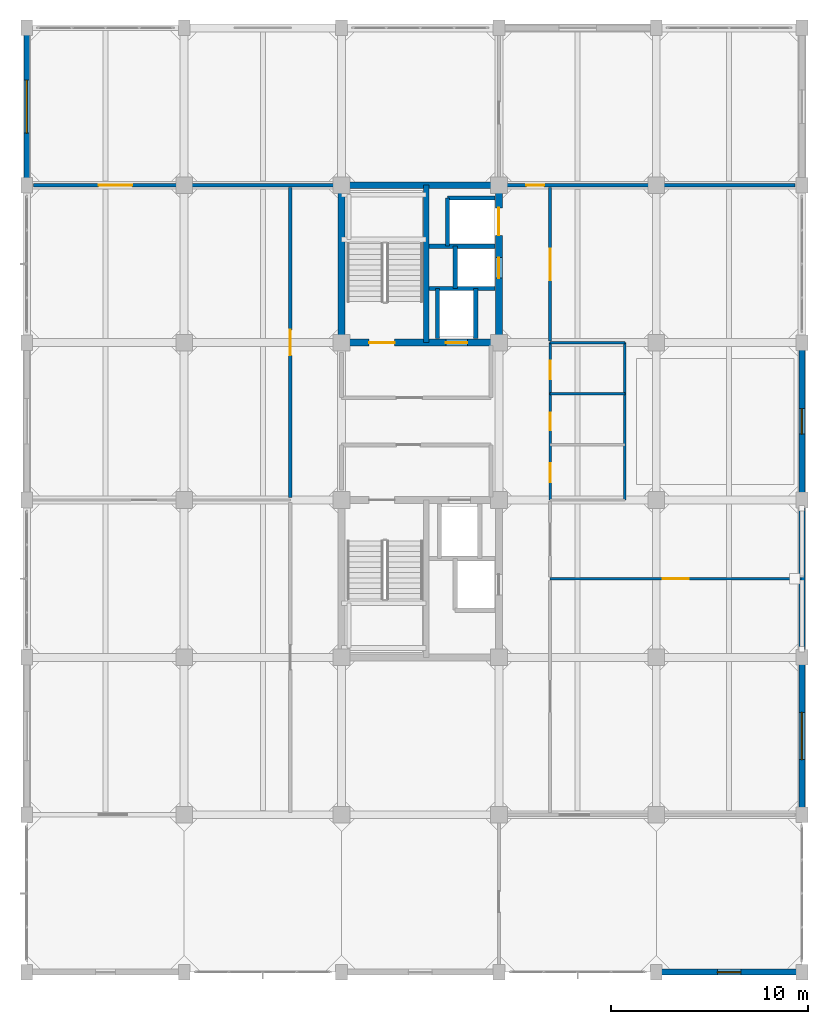
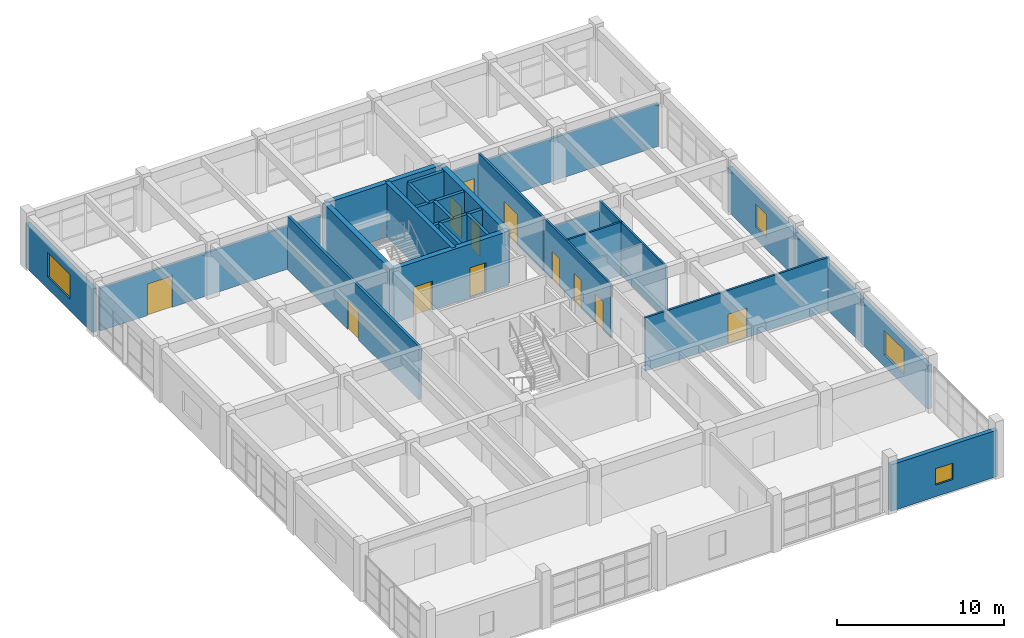
# One storey, part 22 of 27: 26 walls, 12 doors, 4 windows, 16 openings.
"""IFC4 building model written with IfcOpenShell, lengths in metres."""

from ifc_helpers import new_model, si_unit, direction, frame, frame_2d, origin, place, context, subcontext, project, spatial, rectangle, extrude, material, layer, layer_set, type_object, element, fill, save


model = new_model("IFC4")

# Units and contexts
model_context = context("Model", 3, precision=1e-05, world=origin(), true_north=direction((0.0, 1.0)))
body_context = subcontext(model_context, "Body", "Model", "MODEL_VIEW")
ifc_project = project(units=[si_unit("LENGTHUNIT", "METRE"), si_unit("AREAUNIT", "SQUARE_METRE"), si_unit("VOLUMEUNIT", "CUBIC_METRE"), si_unit("PLANEANGLEUNIT", "RADIAN"), si_unit("MASSUNIT", "GRAM", prefix="KILO")], contexts=[model_context])

# Site, building, storey
site_placement = place(None, origin())
site = spatial("IfcSite", under=ifc_project, at=site_placement, CompositionType="ELEMENT")
building_placement = place(site_placement, origin())
building = spatial("IfcBuilding", under=site, at=building_placement, Name="Canggui Botanical Conservatory", CompositionType="ELEMENT")
storey_placement = place(building_placement, frame((0.0, 0.0, 23.39990234375)))
storey = spatial("IfcBuildingStorey", under=building, at=storey_placement, Name="L06", CompositionType="ELEMENT", Elevation=23.39990234375)

# Wall, opening, window
ifc_material_1 = material(Name="Precast Concrete C40", Category="concrete")
ifc_layer_1 = layer(ifc_material_1, 0.300048828125, Name="Precast Concrete C40", Category="concrete")
ifc_layer_set_1 = layer_set([ifc_layer_1], Name="Precast Concrete C40")
wall_type_1 = type_object("IfcWallType", Name="EW-300", PredefinedType="STANDARD", material=ifc_layer_set_1)
wall_1_placement = place(storey_placement, frame((177.39990234375, 26.0, 0.0), z_axis=(0.0, 0.0, 1.0), x_axis=(-1.0, 0.0, 0.0)))
wall_1 = element("IfcWall", 1, at=wall_1_placement, inside=storey, type_object=wall_type_1, Name="Tower Insulated Exterior Wall L06-S1", PredefinedType="STANDARD", context=body_context, shape_type="SweptSolid", body=[
    extrude(rectangle(XDim=7.39990234375, YDim=0.300048828125, at=frame_2d((3.699951171875, 0.0))), origin(), (0.0, 0.0, 1.0), 3.400146484375),
])
opening_1_placement = place(wall_1_placement, frame((3.10009765625, 0.0, 0.85009765625)))
opening_1 = element("IfcOpeningElement", 2, at=opening_1_placement, cuts=wall_1, Name="Opening W-06", PredefinedType="OPENING", context=body_context, shape_type="SweptSolid", body=[
    extrude(rectangle(XDim=1.199951171875, YDim=1.199951171875, at=frame_2d((0.60009765625, 0.60009765625))), frame((0.0, 0.16015625, 0.0), z_axis=(0.0, -1.0, 0.0), x_axis=(1.0, 0.0, 0.0)), (0.0, 0.0, 1.0), 0.320068359375),
])
ifc_material_2 = material(Name="Low-E Insulated Glass", Category="glass")
window_type_1 = type_object("IfcWindowType", Name="WIN-06", PartitioningType="SINGLE_PANEL", PredefinedType="WINDOW", material=ifc_material_2)
window_1_placement = place(opening_1_placement, origin())
window_1 = element("IfcWindow", 3, at=window_1_placement, inside=storey, type_object=window_type_1, Name="Tower Firefighter Rescue Window L06-1", OverallHeight=1.199951171875, OverallWidth=1.199951171875, PartitioningType="SINGLE_PANEL", PredefinedType="WINDOW", context=body_context, shape_type="SweptSolid", body=[
    extrude(rectangle(XDim=1.199951171875, YDim=1.199951171875, at=frame_2d((0.60009765625, 0.60009765625))), frame((0.0, 0.030029296875, 0.0), z_axis=(0.0, -1.0, 0.0), x_axis=(1.0, 0.0, 0.0)), (0.0, 0.0, 1.0), 0.06005859375),
])
fill(opening_1, window_1)

wall_2_placement = place(storey_placement, frame((138.0, 66.0, 0.0), z_axis=(0.0, 0.0, 1.0), x_axis=(0.0, 1.0, 0.0)))
wall_2 = element("IfcWall", 4, at=wall_2_placement, inside=storey, type_object=wall_type_1, Name="Tower Insulated Exterior Wall L06-W11", PredefinedType="STANDARD", context=body_context, shape_type="SweptSolid", body=[
    extrude(rectangle(XDim=8.0, YDim=0.300048828125, at=frame_2d((4.0, 0.0))), origin(), (0.0, 0.0, 1.0), 3.190185546875),
])
opening_2_placement = place(wall_2_placement, frame((2.64990234375, 0.0, 0.85009765625)))
opening_2 = element("IfcOpeningElement", 5, at=opening_2_placement, cuts=wall_2, Name="Opening W-20", PredefinedType="OPENING", context=body_context, shape_type="SweptSolid", body=[
    extrude(rectangle(XDim=2.699951171875, YDim=1.800048828125, at=frame_2d((1.35009765625, 0.89990234375))), frame((0.0, 0.16015625, 0.0), z_axis=(0.0, -1.0, 0.0), x_axis=(1.0, 0.0, 0.0)), (0.0, 0.0, 1.0), 0.320068359375),
])
window_type_2 = type_object("IfcWindowType", Name="WIN-20", PartitioningType="TRIPLE_PANEL_VERTICAL", PredefinedType="WINDOW", material=ifc_material_2)
window_2_placement = place(opening_2_placement, origin())
window_2 = element("IfcWindow", 6, at=window_2_placement, inside=storey, type_object=window_type_2, Name="Tower Window L06-11", OverallHeight=1.800048828125, OverallWidth=2.699951171875, PartitioningType="SINGLE_PANEL", PredefinedType="WINDOW", context=body_context, shape_type="SweptSolid", body=[
    extrude(rectangle(XDim=2.699951171875, YDim=1.800048828125, at=frame_2d((1.35009765625, 0.89990234375))), frame((0.0, 0.030029296875, 0.0), z_axis=(0.0, -1.0, 0.0), x_axis=(1.0, 0.0, 0.0)), (0.0, 0.0, 1.0), 0.06005859375),
])
fill(opening_2, window_2)

wall_3_placement = place(storey_placement, frame((177.39990234375, 58.0, 0.0), z_axis=(0.0, 0.0, 1.0), x_axis=(0.0, -1.0, 0.0)))
wall_3 = element("IfcWall", 7, at=wall_3_placement, inside=storey, type_object=wall_type_1, Name="Tower Insulated Exterior Wall L06-E19", PredefinedType="STANDARD", context=body_context, shape_type="SweptSolid", body=[
    extrude(rectangle(XDim=8.0, YDim=0.300048828125, at=frame_2d((4.0, 0.0))), origin(), (0.0, 0.0, 1.0), 3.190185546875),
])
opening_3_placement = place(wall_3_placement, frame((3.35009765625, 0.0, 0.85009765625)))
opening_3 = element("IfcOpeningElement", 8, at=opening_3_placement, cuts=wall_3, Name="Opening W-24", PredefinedType="OPENING", context=body_context, shape_type="SweptSolid", body=[
    extrude(rectangle(XDim=1.300048828125, YDim=1.699951171875, at=frame_2d((0.64990234375, 0.85009765625))), frame((0.0, 0.16015625, 0.0), z_axis=(0.0, -1.0, 0.0), x_axis=(1.0, 0.0, 0.0)), (0.0, 0.0, 1.0), 0.320068359375),
])
window_type_3 = type_object("IfcWindowType", Name="WIN-24", PartitioningType="SINGLE_PANEL", PredefinedType="WINDOW", material=ifc_material_2)
window_3_placement = place(opening_3_placement, origin())
window_3 = element("IfcWindow", 9, at=window_3_placement, inside=storey, type_object=window_type_3, Name="Tower Window L06-19", OverallHeight=1.699951171875, OverallWidth=1.300048828125, PartitioningType="SINGLE_PANEL", PredefinedType="WINDOW", context=body_context, shape_type="SweptSolid", body=[
    extrude(rectangle(XDim=1.300048828125, YDim=1.699951171875, at=frame_2d((0.64990234375, 0.85009765625))), frame((0.0, 0.030029296875, 0.0), z_axis=(0.0, -1.0, 0.0), x_axis=(1.0, 0.0, 0.0)), (0.0, 0.0, 1.0), 0.06005859375),
])
fill(opening_3, window_3)

# Wall
wall_4_placement = place(storey_placement, frame((177.39990234375, 50.0, 0.0), z_axis=(0.0, 0.0, 1.0), x_axis=(0.0, -1.0, 0.0)))
element("IfcWall", 10, at=wall_4_placement, inside=storey, type_object=wall_type_1, Name="Tower Insulated Exterior Wall L06-E20", PredefinedType="STANDARD", context=body_context, shape_type="SweptSolid", body=[
    extrude(rectangle(XDim=8.0, YDim=0.300048828125, at=frame_2d((4.0, 0.0))), origin(), (0.0, 0.0, 1.0), 3.190185546875),
])

# Wall, opening, window
wall_5_placement = place(storey_placement, frame((177.39990234375, 42.0, 0.0), z_axis=(0.0, 0.0, 1.0), x_axis=(0.0, -1.0, 0.0)))
wall_5 = element("IfcWall", 11, at=wall_5_placement, inside=storey, type_object=wall_type_1, Name="Tower Insulated Exterior Wall L06-E21", PredefinedType="STANDARD", context=body_context, shape_type="SweptSolid", body=[
    extrude(rectangle(XDim=8.0, YDim=0.300048828125, at=frame_2d((4.0, 0.0))), origin(), (0.0, 0.0, 1.0), 3.190185546875),
])
opening_4_placement = place(wall_5_placement, frame((2.800048828125, 0.0, 0.85009765625)))
opening_4 = element("IfcOpeningElement", 12, at=opening_4_placement, cuts=wall_5, Name="Opening W-01", PredefinedType="OPENING", context=body_context, shape_type="SweptSolid", body=[
    extrude(rectangle(XDim=2.39990234375, YDim=1.800048828125, at=frame_2d((1.199951171875, 0.89990234375))), frame((0.0, 0.16015625, 0.0), z_axis=(0.0, -1.0, 0.0), x_axis=(1.0, 0.0, 0.0)), (0.0, 0.0, 1.0), 0.320068359375),
])
window_type_4 = type_object("IfcWindowType", Name="WIN-01", PartitioningType="DOUBLE_PANEL_VERTICAL", PredefinedType="WINDOW", material=ifc_material_2)
window_4_placement = place(opening_4_placement, origin())
window_4 = element("IfcWindow", 13, at=window_4_placement, inside=storey, type_object=window_type_4, Name="Tower Window L06-21", OverallHeight=1.800048828125, OverallWidth=2.39990234375, PartitioningType="SINGLE_PANEL", PredefinedType="WINDOW", context=body_context, shape_type="SweptSolid", body=[
    extrude(rectangle(XDim=2.39990234375, YDim=1.800048828125, at=frame_2d((1.199951171875, 0.89990234375))), frame((0.0, 0.030029296875, 0.0), z_axis=(0.0, -1.0, 0.0), x_axis=(1.0, 0.0, 0.0)), (0.0, 0.0, 1.0), 0.06005859375),
])
fill(opening_4, window_4)

# Wall, opening, door
ifc_material_3 = material(Name="Gypsum Plasterboard Partition")
ifc_layer_2 = layer(ifc_material_3, 0.175048828125, Name="Gypsum Plasterboard Partition")
ifc_layer_set_2 = layer_set([ifc_layer_2], Name="Gypsum Plasterboard Partition")
wall_type_2 = type_object("IfcWallType", Name="IW-CORR-175", PredefinedType="STANDARD", material=ifc_layer_set_2)
wall_6_placement = place(storey_placement, frame((151.39990234375, 50.1201171875, 0.0), z_axis=(0.0, 0.0, 1.0), x_axis=(0.0, 1.0, 0.0)))
wall_6 = element("IfcWall", 14, at=wall_6_placement, inside=storey, type_object=wall_type_2, Name="L06 Bioinformatics Computing Studio Corridor Wall", PredefinedType="STANDARD", context=body_context, shape_type="SweptSolid", body=[
    extrude(rectangle(XDim=15.759765625, YDim=0.175048828125, at=frame_2d((7.8798828125, 0.0))), origin(), (0.0, 0.0, 1.0), 3.900146484375),
])
opening_5_placement = place(wall_6_placement, frame((7.22998046875, 0.0, 0.0)))
opening_5 = element("IfcOpeningElement", 15, at=opening_5_placement, cuts=wall_6, Name="Opening FD-09", PredefinedType="OPENING", context=body_context, shape_type="SweptSolid", body=[
    extrude(rectangle(XDim=1.300048828125, YDim=2.14990234375, at=frame_2d((0.64990234375, 1.074951171875))), frame((0.0, 0.09765625, 0.0), z_axis=(0.0, -1.0, 0.0), x_axis=(1.0, 0.0, 0.0)), (0.0, 0.0, 1.0), 0.195068359375),
])
ifc_material_4 = material(Name="Powder-Coated Steel", Category="steel")
door_type_1 = type_object("IfcDoorType", Name="FD-09", OperationType="NOTDEFINED", PredefinedType="DOOR", material=ifc_material_4)
door_1_placement = place(opening_5_placement, origin())
door_1 = element("IfcDoor", 16, at=door_1_placement, inside=storey, type_object=door_type_1, Name="L06 Bioinformatics Computing Studio Entrance Door", OperationType="SINGLE_SWING_RIGHT", OverallHeight=2.14990234375, OverallWidth=1.300048828125, PredefinedType="DOOR", context=body_context, shape_type="SweptSolid", body=[
    extrude(rectangle(XDim=1.300048828125, YDim=2.14990234375, at=frame_2d((0.64990234375, 1.074951171875))), frame((0.0, 0.02490234375, 0.0), z_axis=(0.0, -1.0, 0.0), x_axis=(1.0, 0.0, 0.0)), (0.0, 0.0, 1.0), 0.050048828125),
])
fill(opening_5, door_1)

wall_7_placement = place(storey_placement, frame((138.35009765625, 66.0, 0.0), z_axis=(0.0, 0.0, 1.0), x_axis=(1.0, 0.0, 0.0)))
wall_7 = element("IfcWall", 17, at=wall_7_placement, inside=storey, type_object=wall_type_2, Name="L06 Phenomics Data Analysis Room North Suite Wall", PredefinedType="STANDARD", context=body_context, shape_type="SweptSolid", body=[
    extrude(rectangle(XDim=15.2998046875, YDim=0.175048828125, at=frame_2d((7.64990234375, 0.0))), origin(), (0.0, 0.0, 1.0), 3.14013671875),
])
opening_6_placement = place(wall_7_placement, frame((3.300048828125, 0.0, 0.0)))
opening_6 = element("IfcOpeningElement", 18, at=opening_6_placement, cuts=wall_7, Name="Opening FD-16", PredefinedType="OPENING", context=body_context, shape_type="SweptSolid", body=[
    extrude(rectangle(XDim=1.699951171875, YDim=2.300048828125, at=frame_2d((0.85009765625, 1.14990234375))), frame((0.0, 0.09765625, 0.0), z_axis=(0.0, -1.0, 0.0), x_axis=(1.0, 0.0, 0.0)), (0.0, 0.0, 1.0), 0.195068359375),
])
door_type_2 = type_object("IfcDoorType", Name="FD-16", OperationType="NOTDEFINED", PredefinedType="DOOR", material=ifc_material_4)
door_2_placement = place(opening_6_placement, origin())
door_2 = element("IfcDoor", 19, at=door_2_placement, inside=storey, type_object=door_type_2, Name="Interior Door IW-L06-NCOR-1", OperationType="DOUBLE_DOOR_SINGLE_SWING", OverallHeight=2.300048828125, OverallWidth=1.699951171875, PredefinedType="DOOR", context=body_context, shape_type="SweptSolid", body=[
    extrude(rectangle(XDim=1.699951171875, YDim=2.300048828125, at=frame_2d((0.85009765625, 1.14990234375))), frame((0.0, 0.02490234375, 0.0), z_axis=(0.0, -1.0, 0.0), x_axis=(1.0, 0.0, 0.0)), (0.0, 0.0, 1.0), 0.050048828125),
])
fill(opening_6, door_2)

wall_8_placement = place(storey_placement, frame((162.35009765625, 66.0, 0.0), z_axis=(0.0, 0.0, 1.0), x_axis=(1.0, 0.0, 0.0)))
wall_8 = element("IfcWall", 20, at=wall_8_placement, inside=storey, type_object=wall_type_2, Name="L06 Research Write-Up Studio North Suite Wall", PredefinedType="STANDARD", context=body_context, shape_type="SweptSolid", body=[
    extrude(rectangle(XDim=14.699951171875, YDim=0.175048828125, at=frame_2d((7.35009765625, 0.0))), origin(), (0.0, 0.0, 1.0), 3.14013671875),
])
opening_7_placement = place(wall_8_placement, frame((1.050048828125, 0.0, 0.0)))
opening_7 = element("IfcOpeningElement", 21, at=opening_7_placement, cuts=wall_8, Name="Opening FD-01", PredefinedType="OPENING", context=body_context, shape_type="SweptSolid", body=[
    extrude(rectangle(XDim=0.89990234375, YDim=2.10009765625, at=frame_2d((0.449951171875, 1.050048828125))), frame((0.0, 0.09765625, 0.0), z_axis=(0.0, -1.0, 0.0), x_axis=(1.0, 0.0, 0.0)), (0.0, 0.0, 1.0), 0.195068359375),
])
door_type_3 = type_object("IfcDoorType", Name="FD-01", OperationType="NOTDEFINED", PredefinedType="DOOR", material=ifc_material_4)
door_3_placement = place(opening_7_placement, origin())
door_3 = element("IfcDoor", 22, at=door_3_placement, inside=storey, type_object=door_type_3, Name="Interior Door IW-L06-NCOR-2", OperationType="SINGLE_SWING_LEFT", OverallHeight=2.10009765625, OverallWidth=0.89990234375, PredefinedType="DOOR", context=body_context, shape_type="SweptSolid", body=[
    extrude(rectangle(XDim=0.89990234375, YDim=2.10009765625, at=frame_2d((0.449951171875, 1.050048828125))), frame((0.0, 0.02490234375, 0.0), z_axis=(0.0, -1.0, 0.0), x_axis=(1.0, 0.0, 0.0)), (0.0, 0.0, 1.0), 0.050048828125),
])
fill(opening_7, door_3)

ifc_layer_3 = layer(ifc_material_3, 0.155029296875, Name="Gypsum Plasterboard Partition")
ifc_layer_set_3 = layer_set([ifc_layer_3], Name="Gypsum Plasterboard Partition")
wall_type_3 = type_object("IfcWallType", Name="IW-LAB-155", PredefinedType="STANDARD", material=ifc_layer_set_3)
wall_9_placement = place(storey_placement, frame((164.60009765625, 58.080078125, 0.0), z_axis=(0.0, 0.0, 1.0), x_axis=(0.0, 1.0, 0.0)))
wall_9 = element("IfcWall", 23, at=wall_9_placement, inside=storey, type_object=wall_type_3, Name="L06 Dry Herbarium Reference Laboratory Lab Wall", PredefinedType="STANDARD", context=body_context, shape_type="SweptSolid", body=[
    extrude(rectangle(XDim=7.7998046875, YDim=0.155029296875, at=frame_2d((3.89990234375, 0.0))), origin(), (0.0, 0.0, 1.0), 3.900146484375),
])
opening_8_placement = place(wall_9_placement, frame((3.10009765625, 0.0, 0.0)))
opening_8 = element("IfcOpeningElement", 24, at=opening_8_placement, cuts=wall_9, Name="Opening FD-15", PredefinedType="OPENING", context=body_context, shape_type="SweptSolid", body=[
    extrude(rectangle(XDim=1.60009765625, YDim=2.25, at=frame_2d((0.800048828125, 1.125))), frame((0.0, 0.08740234375, 0.0), z_axis=(0.0, -1.0, 0.0), x_axis=(1.0, 0.0, 0.0)), (0.0, 0.0, 1.0), 0.175048828125),
])
door_type_4 = type_object("IfcDoorType", Name="FD-15", OperationType="NOTDEFINED", PredefinedType="DOOR", material=ifc_material_4)
door_4_placement = place(opening_8_placement, origin())
door_4 = element("IfcDoor", 25, at=door_4_placement, inside=storey, type_object=door_type_4, Name="Interior Door IW-L06-ECOR-2-2", OperationType="DOUBLE_DOOR_SINGLE_SWING", OverallHeight=2.25, OverallWidth=1.60009765625, PredefinedType="DOOR", context=body_context, shape_type="SweptSolid", body=[
    extrude(rectangle(XDim=1.60009765625, YDim=2.25, at=frame_2d((0.800048828125, 1.125))), frame((0.0, 0.02490234375, 0.0), z_axis=(0.0, -1.0, 0.0), x_axis=(1.0, 0.0, 0.0)), (0.0, 0.0, 1.0), 0.050048828125),
])
fill(opening_8, door_4)

ifc_layer_4 = layer(ifc_material_3, 0.139892578125, Name="Gypsum Plasterboard Partition")
ifc_layer_set_4 = layer_set([ifc_layer_4], Name="Gypsum Plasterboard Partition")
wall_type_4 = type_object("IfcWallType", Name="IW-PART-140", PredefinedType="STANDARD", material=ifc_layer_set_4)
wall_10_placement = place(storey_placement, frame((164.60009765625, 46.0, 0.0), z_axis=(0.0, 0.0, 1.0), x_axis=(1.0, 0.0, 0.0)))
wall_10 = element("IfcWall", 26, at=wall_10_placement, inside=storey, type_object=wall_type_4, Name="L06 Biostatistics Seminar Room Subdivision Wall", PredefinedType="STANDARD", context=body_context, shape_type="SweptSolid", body=[
    extrude(rectangle(XDim=12.760009765625, YDim=0.139892578125, at=frame_2d((6.3798828125, 0.0))), origin(), (0.0, 0.0, 1.0), 3.900146484375),
])
opening_9_placement = place(wall_10_placement, frame((5.719970703125, 0.0, 0.0)))
opening_9 = element("IfcOpeningElement", 27, at=opening_9_placement, cuts=wall_10, Name="Opening ID-10", PredefinedType="OPENING", context=body_context, shape_type="SweptSolid", body=[
    extrude(rectangle(XDim=1.320068359375, YDim=2.159912109375, at=frame_2d((0.66015625, 1.080078125))), frame((0.0, 0.080078125, 0.0), z_axis=(0.0, -1.0, 0.0), x_axis=(1.0, 0.0, 0.0)), (0.0, 0.0, 1.0), 0.159912109375),
])
ifc_material_5 = material(Name="Engineered Timber Veneer", Category="wood")
door_type_5 = type_object("IfcDoorType", Name="ID-10", OperationType="NOTDEFINED", PredefinedType="DOOR", material=ifc_material_5)
door_5_placement = place(opening_9_placement, origin())
door_5 = element("IfcDoor", 28, at=door_5_placement, inside=storey, type_object=door_type_5, Name="Interior Door IW-L06-EDIV-1", OperationType="SINGLE_SWING_RIGHT", OverallHeight=2.159912109375, OverallWidth=1.320068359375, PredefinedType="DOOR", context=body_context, shape_type="SweptSolid", body=[
    extrude(rectangle(XDim=1.320068359375, YDim=2.159912109375, at=frame_2d((0.66015625, 1.080078125))), frame((0.0, 0.02490234375, 0.0), z_axis=(0.0, -1.0, 0.0), x_axis=(1.0, 0.0, 0.0)), (0.0, 0.0, 1.0), 0.050048828125),
])
fill(opening_9, door_5)

# Walls
ifc_material_6 = material(Name="Concrete C35", Category="concrete")
ifc_layer_5 = layer(ifc_material_6, 0.215087890625, Name="Concrete C35", Category="concrete")
ifc_layer_set_5 = layer_set([ifc_layer_5], Name="Concrete C35")
wall_type_5 = type_object("IfcWallType", Name="IW-SHAFT-215", PredefinedType="STANDARD", material=ifc_layer_set_5)
wall_11_placement = place(storey_placement, frame((158.449951171875, 62.89990234375, 0.0), z_axis=(0.0, 0.0, 1.0), x_axis=(1.0, 0.0, 0.0)))
element("IfcWall", 29, at=wall_11_placement, inside=storey, type_object=wall_type_5, Name="Core T2 Goods Lift Shaft Divider L06", PredefinedType="STANDARD", context=body_context, shape_type="SweptSolid", body=[
    extrude(rectangle(XDim=3.35009765625, YDim=0.215087890625, at=frame_2d((1.675048828125, 0.0))), origin(), (0.0, 0.0, 1.0), 3.900146484375),
])
wall_12_placement = place(storey_placement, frame((160.820068359375, 58.199951171875, 0.0), z_axis=(0.0, 0.0, 1.0), x_axis=(0.0, 1.0, 0.0)))
element("IfcWall", 30, at=wall_12_placement, inside=storey, type_object=wall_type_5, Name="Core T2 Lift Bank Web L06", PredefinedType="STANDARD", context=body_context, shape_type="SweptSolid", body=[
    extrude(rectangle(XDim=2.550048828125, YDim=0.215087890625, at=frame_2d((1.27490234375, 0.0))), origin(), (0.0, 0.0, 1.0), 3.900146484375),
])
wall_13_placement = place(storey_placement, frame((159.3798828125, 62.89990234375, 0.0), z_axis=(0.0, 0.0, 1.0), x_axis=(0.0, 1.0, 0.0)))
element("IfcWall", 31, at=wall_13_placement, inside=storey, type_object=wall_type_5, Name="Core T2 GL-01 West Shaft Wall L06", PredefinedType="STANDARD", context=body_context, shape_type="SweptSolid", body=[
    extrude(rectangle(XDim=2.4501953125, YDim=0.215087890625, at=frame_2d((1.22509765625, 0.0))), origin(), (0.0, 0.0, 1.0), 3.900146484375),
])
wall_14_placement = place(storey_placement, frame((159.3798828125, 65.35009765625, 0.0), z_axis=(0.0, 0.0, 1.0), x_axis=(1.0, 0.0, 0.0)))
element("IfcWall", 32, at=wall_14_placement, inside=storey, type_object=wall_type_5, Name="Core T2 GL-01 North Shaft Wall L06", PredefinedType="STANDARD", context=body_context, shape_type="SweptSolid", body=[
    extrude(rectangle(XDim=2.420166015625, YDim=0.215087890625, at=frame_2d((1.2099609375, 0.0))), origin(), (0.0, 0.0, 1.0), 3.900146484375),
])
wall_15_placement = place(storey_placement, frame((158.449951171875, 60.75, 0.0), z_axis=(0.0, 0.0, 1.0), x_axis=(1.0, 0.0, 0.0)))
element("IfcWall", 33, at=wall_15_placement, inside=storey, type_object=wall_type_5, Name="Core T2 PL-02 South Shaft Wall L06", PredefinedType="STANDARD", context=body_context, shape_type="SweptSolid", body=[
    extrude(rectangle(XDim=3.35009765625, YDim=0.215087890625, at=frame_2d((1.675048828125, 0.0))), origin(), (0.0, 0.0, 1.0), 3.900146484375),
])
wall_16_placement = place(storey_placement, frame((159.780029296875, 60.75, 0.0), z_axis=(0.0, 0.0, 1.0), x_axis=(0.0, 1.0, 0.0)))
element("IfcWall", 34, at=wall_16_placement, inside=storey, type_object=wall_type_5, Name="Core T2 PL-02 West Shaft Wall L06", PredefinedType="STANDARD", context=body_context, shape_type="SweptSolid", body=[
    extrude(rectangle(XDim=2.14990234375, YDim=0.215087890625, at=frame_2d((1.074951171875, 0.0))), origin(), (0.0, 0.0, 1.0), 3.900146484375),
])
wall_17_placement = place(storey_placement, frame((158.8798828125, 58.199951171875, 0.0), z_axis=(0.0, 0.0, 1.0), x_axis=(0.0, 1.0, 0.0)))
element("IfcWall", 35, at=wall_17_placement, inside=storey, type_object=wall_type_5, Name="Core T2 FL-02 West Shaft Wall L06", PredefinedType="STANDARD", context=body_context, shape_type="SweptSolid", body=[
    extrude(rectangle(XDim=2.550048828125, YDim=0.215087890625, at=frame_2d((1.27490234375, 0.0))), origin(), (0.0, 0.0, 1.0), 3.900146484375),
])

# Wall, openings, doors
ifc_layer_6 = layer(ifc_material_3, 0.125, Name="Gypsum Plasterboard Partition")
ifc_layer_set_6 = layer_set([ifc_layer_6], Name="Gypsum Plasterboard Partition")
wall_type_6 = type_object("IfcWallType", Name="IW-WC-125", PredefinedType="STANDARD", material=ifc_layer_set_6)
wall_18_placement = place(storey_placement, frame((164.60009765625, 50.0, 0.0), z_axis=(0.0, 0.0, 1.0), x_axis=(0.0, 1.0, 0.0)))
wall_18 = element("IfcWall", 36, at=wall_18_placement, inside=storey, type_object=wall_type_6, Name="L06 Restroom Block Corridor Wall", PredefinedType="STANDARD", context=body_context, shape_type="SweptSolid", body=[
    extrude(rectangle(XDim=8.0, YDim=0.125, at=frame_2d((4.0, 0.0))), origin(), (0.0, 0.0, 1.0), 3.900146484375),
])
opening_10_placement = place(wall_18_placement, frame((0.89990234375, 0.0, 0.0)))
opening_10 = element("IfcOpeningElement", 37, at=opening_10_placement, cuts=wall_18, Name="Opening ID-03", PredefinedType="OPENING", context=body_context, shape_type="SweptSolid", body=[
    extrude(rectangle(XDim=0.9599609375, YDim=2.080078125, at=frame_2d((0.47998046875, 1.0400390625))), frame((0.0, 0.072509765625, 0.0), z_axis=(0.0, -1.0, 0.0), x_axis=(1.0, 0.0, 0.0)), (0.0, 0.0, 1.0), 0.14501953125),
])
opening_11_placement = place(wall_18_placement, frame((3.550048828125, 0.0, 0.0)))
opening_11 = element("IfcOpeningElement", 38, at=opening_11_placement, cuts=wall_18, Name="Opening ID-01", PredefinedType="OPENING", context=body_context, shape_type="SweptSolid", body=[
    extrude(rectangle(XDim=0.8798828125, YDim=2.050048828125, at=frame_2d((0.43994140625, 1.02490234375))), frame((0.0, 0.072509765625, 0.0), z_axis=(0.0, -1.0, 0.0), x_axis=(1.0, 0.0, 0.0)), (0.0, 0.0, 1.0), 0.14501953125),
])
opening_12_placement = place(wall_18_placement, frame((6.14990234375, 0.0, 0.0)))
opening_12 = element("IfcOpeningElement", 39, at=opening_12_placement, cuts=wall_18, Name="Opening ID-02", PredefinedType="OPENING", context=body_context, shape_type="SweptSolid", body=[
    extrude(rectangle(XDim=0.919921875, YDim=2.050048828125, at=frame_2d((0.4599609375, 1.02490234375))), frame((0.0, 0.072509765625, 0.0), z_axis=(0.0, -1.0, 0.0), x_axis=(1.0, 0.0, 0.0)), (0.0, 0.0, 1.0), 0.14501953125),
])
door_type_6 = type_object("IfcDoorType", Name="ID-01", OperationType="NOTDEFINED", PredefinedType="DOOR", material=ifc_material_5)
door_6_placement = place(opening_11_placement, origin())
door_6 = element("IfcDoor", 40, at=door_6_placement, inside=storey, type_object=door_type_6, Name="L06 Male WC Door", OperationType="SINGLE_SWING_RIGHT", OverallHeight=2.050048828125, OverallWidth=0.8798828125, PredefinedType="DOOR", context=body_context, shape_type="SweptSolid", body=[
    extrude(rectangle(XDim=0.8798828125, YDim=2.050048828125, at=frame_2d((0.43994140625, 1.02490234375))), frame((0.0, 0.02490234375, 0.0), z_axis=(0.0, -1.0, 0.0), x_axis=(1.0, 0.0, 0.0)), (0.0, 0.0, 1.0), 0.050048828125),
])
fill(opening_11, door_6)
door_type_7 = type_object("IfcDoorType", Name="ID-02", OperationType="NOTDEFINED", PredefinedType="DOOR", material=ifc_material_5)
door_7_placement = place(opening_12_placement, origin())
door_7 = element("IfcDoor", 41, at=door_7_placement, inside=storey, type_object=door_type_7, Name="L06 Female WC Door", OperationType="SINGLE_SWING_LEFT", OverallHeight=2.050048828125, OverallWidth=0.919921875, PredefinedType="DOOR", context=body_context, shape_type="SweptSolid", body=[
    extrude(rectangle(XDim=0.919921875, YDim=2.050048828125, at=frame_2d((0.4599609375, 1.02490234375))), frame((0.0, 0.02490234375, 0.0), z_axis=(0.0, -1.0, 0.0), x_axis=(1.0, 0.0, 0.0)), (0.0, 0.0, 1.0), 0.050048828125),
])
fill(opening_12, door_7)
door_type_8 = type_object("IfcDoorType", Name="ID-03", OperationType="NOTDEFINED", PredefinedType="DOOR", material=ifc_material_5)
door_8_placement = place(opening_10_placement, origin())
door_8 = element("IfcDoor", 42, at=door_8_placement, inside=storey, type_object=door_type_8, Name="L06 Accessible WC Door", OperationType="SINGLE_SWING_LEFT", OverallHeight=2.080078125, OverallWidth=0.9599609375, PredefinedType="DOOR", context=body_context, shape_type="SweptSolid", body=[
    extrude(rectangle(XDim=0.9599609375, YDim=2.080078125, at=frame_2d((0.47998046875, 1.0400390625))), frame((0.0, 0.02490234375, 0.0), z_axis=(0.0, -1.0, 0.0), x_axis=(1.0, 0.0, 0.0)), (0.0, 0.0, 1.0), 0.050048828125),
])
fill(opening_10, door_8)

# Walls
wall_19_placement = place(storey_placement, frame((168.39990234375, 50.0, 0.0), z_axis=(0.0, 0.0, 1.0), x_axis=(0.0, 1.0, 0.0)))
element("IfcWall", 43, at=wall_19_placement, inside=storey, type_object=wall_type_6, Name="L06 Restroom Block Back Wall", PredefinedType="STANDARD", context=body_context, shape_type="SweptSolid", body=[
    extrude(rectangle(XDim=8.0, YDim=0.125, at=frame_2d((4.0, 0.0))), origin(), (0.0, 0.0, 1.0), 3.900146484375),
])
wall_20_placement = place(storey_placement, frame((164.60009765625, 55.39990234375, 0.0), z_axis=(0.0, 0.0, 1.0), x_axis=(1.0, 0.0, 0.0)))
element("IfcWall", 44, at=wall_20_placement, inside=storey, type_object=wall_type_6, Name="L06 Restroom Divider Y55.4", PredefinedType="STANDARD", context=body_context, shape_type="SweptSolid", body=[
    extrude(rectangle(XDim=3.7998046875, YDim=0.125, at=frame_2d((1.89990234375, 0.0))), origin(), (0.0, 0.0, 1.0), 3.900146484375),
])
wall_21_placement = place(storey_placement, frame((164.60009765625, 58.0, 0.0), z_axis=(0.0, 0.0, 1.0), x_axis=(1.0, 0.0, 0.0)))
element("IfcWall", 45, at=wall_21_placement, inside=storey, type_object=wall_type_6, Name="L06 Restroom Divider Y58.0", PredefinedType="STANDARD", context=body_context, shape_type="SweptSolid", body=[
    extrude(rectangle(XDim=3.7998046875, YDim=0.125, at=frame_2d((1.89990234375, 0.0))), origin(), (0.0, 0.0, 1.0), 3.14013671875),
])
ifc_layer_7 = layer(ifc_material_6, 0.280029296875, Name="Concrete C35", Category="concrete")
ifc_layer_set_7 = layer_set([ifc_layer_7], Name="Concrete C35")
wall_type_7 = type_object("IfcWallType", Name="WALL-SH-280-C35", PredefinedType="SHEAR", material=ifc_layer_set_7)
wall_22_placement = place(storey_placement, frame((158.300048828125, 58.0, 0.0), z_axis=(0.0, 0.0, 1.0), x_axis=(0.0, 1.0, 0.0)))
element("IfcWall", 46, at=wall_22_placement, inside=storey, type_object=wall_type_7, Name="Core T2 Internal Shear Web L06", PredefinedType="SHEAR", context=body_context, shape_type="SweptSolid", body=[
    extrude(rectangle(XDim=8.0, YDim=0.280029296875, at=frame_2d((4.0, 0.0))), origin(), (0.0, 0.0, 1.0), 3.9501953125),
])

# Wall, openings, doors
ifc_material_7 = material(Name="Concrete C40", Category="concrete")
ifc_layer_8 = layer(ifc_material_7, 0.35009765625, Name="Concrete C40", Category="concrete")
ifc_layer_set_8 = layer_set([ifc_layer_8], Name="Concrete C40")
wall_type_8 = type_object("IfcWallType", Name="WALL-SH-350-C40", PredefinedType="SHEAR", material=ifc_layer_set_8)
wall_23_placement = place(storey_placement, frame((154.0, 58.0, 0.0), z_axis=(0.0, 0.0, 1.0), x_axis=(1.0, 0.0, 0.0)))
wall_23 = element("IfcWall", 47, at=wall_23_placement, inside=storey, type_object=wall_type_8, Name="Core T2 Shear Wall L06-S", PredefinedType="SHEAR", context=body_context, shape_type="SweptSolid", body=[
    extrude(rectangle(XDim=8.0, YDim=0.35009765625, at=frame_2d((4.0, 0.0))), origin(), (0.0, 0.0, 1.0), 3.9501953125),
])
opening_13_placement = place(wall_23_placement, frame((1.39990234375, 0.0, 0.0)))
opening_13 = element("IfcOpeningElement", 48, at=opening_13_placement, cuts=wall_23, Name="Opening FD-09", PredefinedType="OPENING", context=body_context, shape_type="SweptSolid", body=[
    extrude(rectangle(XDim=1.300048828125, YDim=2.14990234375, at=frame_2d((0.64990234375, 1.074951171875))), frame((0.0, 0.18505859375, 0.0), z_axis=(0.0, -1.0, 0.0), x_axis=(1.0, 0.0, 0.0)), (0.0, 0.0, 1.0), 0.3701171875),
])
opening_14_placement = place(wall_23_placement, frame((5.300048828125, 0.0, 0.0)))
opening_14 = element("IfcOpeningElement", 49, at=opening_14_placement, cuts=wall_23, Name="Opening LD-01", PredefinedType="OPENING", context=body_context, shape_type="SweptSolid", body=[
    extrude(rectangle(XDim=1.10009765625, YDim=2.199951171875, at=frame_2d((0.550048828125, 1.10009765625))), frame((0.0, 0.18505859375, 0.0), z_axis=(0.0, -1.0, 0.0), x_axis=(1.0, 0.0, 0.0)), (0.0, 0.0, 1.0), 0.3701171875),
])
door_9_placement = place(opening_13_placement, origin())
door_9 = element("IfcDoor", 50, at=door_9_placement, inside=storey, type_object=door_type_1, Name="Tower North Smoke-Proof Stair Door L06", OperationType="SINGLE_SWING_RIGHT", OverallHeight=2.14990234375, OverallWidth=1.300048828125, PredefinedType="DOOR", context=body_context, shape_type="SweptSolid", body=[
    extrude(rectangle(XDim=1.300048828125, YDim=2.14990234375, at=frame_2d((0.64990234375, 1.074951171875))), frame((0.0, 0.02490234375, 0.0), z_axis=(0.0, -1.0, 0.0), x_axis=(1.0, 0.0, 0.0)), (0.0, 0.0, 1.0), 0.050048828125),
])
fill(opening_13, door_9)
ifc_material_8 = material(Name="Stainless Steel 304", Category="steel")
door_type_9 = type_object("IfcDoorType", Name="LDR-01", OperationType="NOTDEFINED", PredefinedType="DOOR", material=ifc_material_8)
door_10_placement = place(opening_14_placement, origin())
door_10 = element("IfcDoor", 51, at=door_10_placement, inside=storey, type_object=door_type_9, Name="Firefighting Lift FL-02 Landing Door L06", OperationType="SLIDING_TO_RIGHT", OverallHeight=2.199951171875, OverallWidth=1.10009765625, PredefinedType="DOOR", context=body_context, shape_type="SweptSolid", body=[
    extrude(rectangle(XDim=1.10009765625, YDim=2.199951171875, at=frame_2d((0.550048828125, 1.10009765625))), frame((0.0, 0.02490234375, 0.0), z_axis=(0.0, -1.0, 0.0), x_axis=(1.0, 0.0, 0.0)), (0.0, 0.0, 1.0), 0.050048828125),
])
fill(opening_14, door_10)

wall_24_placement = place(storey_placement, frame((162.0, 58.0, 0.0), z_axis=(0.0, 0.0, 1.0), x_axis=(0.0, 1.0, 0.0)))
wall_24 = element("IfcWall", 52, at=wall_24_placement, inside=storey, type_object=wall_type_8, Name="Core T2 Shear Wall L06-E", PredefinedType="SHEAR", context=body_context, shape_type="SweptSolid", body=[
    extrude(rectangle(XDim=8.0, YDim=0.35009765625, at=frame_2d((4.0, 0.0))), origin(), (0.0, 0.0, 1.0), 3.9501953125),
])
opening_15_placement = place(wall_24_placement, frame((3.27490234375, 0.0, 0.0)))
opening_15 = element("IfcOpeningElement", 53, at=opening_15_placement, cuts=wall_24, Name="Opening LD-02", PredefinedType="OPENING", context=body_context, shape_type="SweptSolid", body=[
    extrude(rectangle(XDim=1.050048828125, YDim=2.199951171875, at=frame_2d((0.52490234375, 1.10009765625))), frame((0.0, 0.18505859375, 0.0), z_axis=(0.0, -1.0, 0.0), x_axis=(1.0, 0.0, 0.0)), (0.0, 0.0, 1.0), 0.3701171875),
])
opening_16_placement = place(wall_24_placement, frame((5.449951171875, 0.0, 0.0)))
opening_16 = element("IfcOpeningElement", 54, at=opening_16_placement, cuts=wall_24, Name="Opening LD-03", PredefinedType="OPENING", context=body_context, shape_type="SweptSolid", body=[
    extrude(rectangle(XDim=1.39990234375, YDim=2.300048828125, at=frame_2d((0.699951171875, 1.14990234375))), frame((0.0, 0.18505859375, 0.0), z_axis=(0.0, -1.0, 0.0), x_axis=(1.0, 0.0, 0.0)), (0.0, 0.0, 1.0), 0.3701171875),
])
door_type_10 = type_object("IfcDoorType", Name="LDR-02", OperationType="NOTDEFINED", PredefinedType="DOOR", material=ifc_material_8)
door_11_placement = place(opening_15_placement, origin())
door_11 = element("IfcDoor", 55, at=door_11_placement, inside=storey, type_object=door_type_10, Name="Passenger Lift PL-02 Landing Door L06", OperationType="SLIDING_TO_RIGHT", OverallHeight=2.199951171875, OverallWidth=1.050048828125, PredefinedType="DOOR", context=body_context, shape_type="SweptSolid", body=[
    extrude(rectangle(XDim=1.050048828125, YDim=2.199951171875, at=frame_2d((0.52490234375, 1.10009765625))), frame((0.0, 0.02490234375, 0.0), z_axis=(0.0, -1.0, 0.0), x_axis=(1.0, 0.0, 0.0)), (0.0, 0.0, 1.0), 0.050048828125),
])
fill(opening_15, door_11)
door_type_11 = type_object("IfcDoorType", Name="LDR-03", OperationType="NOTDEFINED", PredefinedType="DOOR", material=ifc_material_8)
door_12_placement = place(opening_16_placement, origin())
door_12 = element("IfcDoor", 56, at=door_12_placement, inside=storey, type_object=door_type_11, Name="Herbarium Goods Lift GL-01 Landing Door L06", OperationType="DOUBLE_DOOR_SLIDING", OverallHeight=2.300048828125, OverallWidth=1.39990234375, PredefinedType="DOOR", context=body_context, shape_type="SweptSolid", body=[
    extrude(rectangle(XDim=1.39990234375, YDim=2.300048828125, at=frame_2d((0.699951171875, 1.14990234375))), frame((0.0, 0.02490234375, 0.0), z_axis=(0.0, -1.0, 0.0), x_axis=(1.0, 0.0, 0.0)), (0.0, 0.0, 1.0), 0.050048828125),
])
fill(opening_16, door_12)

# Walls
for number, where, z_axis, x_axis, name in (
    (57, (162.0, 66.0, 0.0), (0.0, 0.0, 1.0), (-1.0, 0.0, 0.0), "Core T2 Shear Wall L06-N"),
    (58, (154.0, 66.0, 0.0), (0.0, 0.0, 1.0), (0.0, -1.0, 0.0), "Core T2 Shear Wall L06-W"),
):
    element("IfcWall", number, at=place(storey_placement, frame(where, z_axis=z_axis, x_axis=x_axis)), inside=storey, type_object=wall_type_8, Name=name, PredefinedType="SHEAR", context=body_context, shape_type="SweptSolid", body=[
        extrude(rectangle(XDim=8.0, YDim=0.35009765625, at=frame_2d((4.0, 0.0))), origin(), (0.0, 0.0, 1.0), 3.9501953125),
    ])

save(model, "model.ifc")
